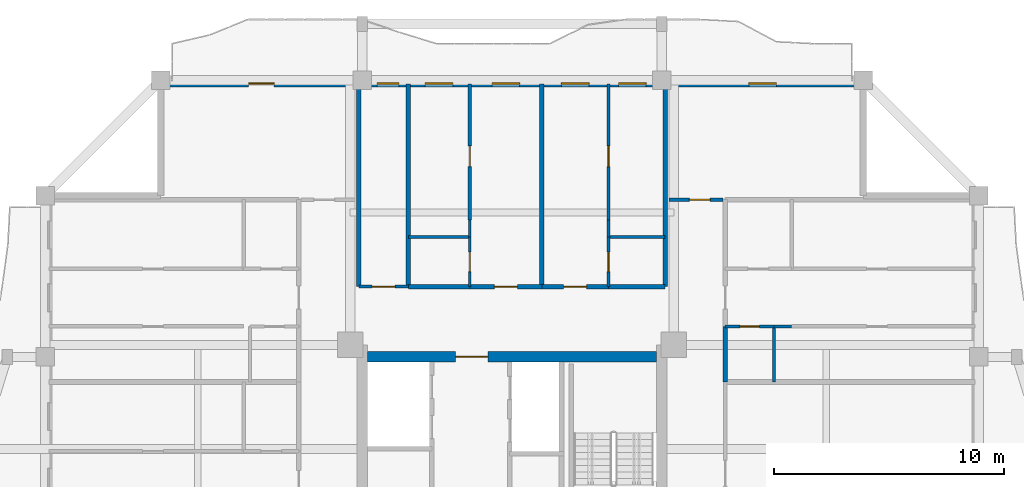
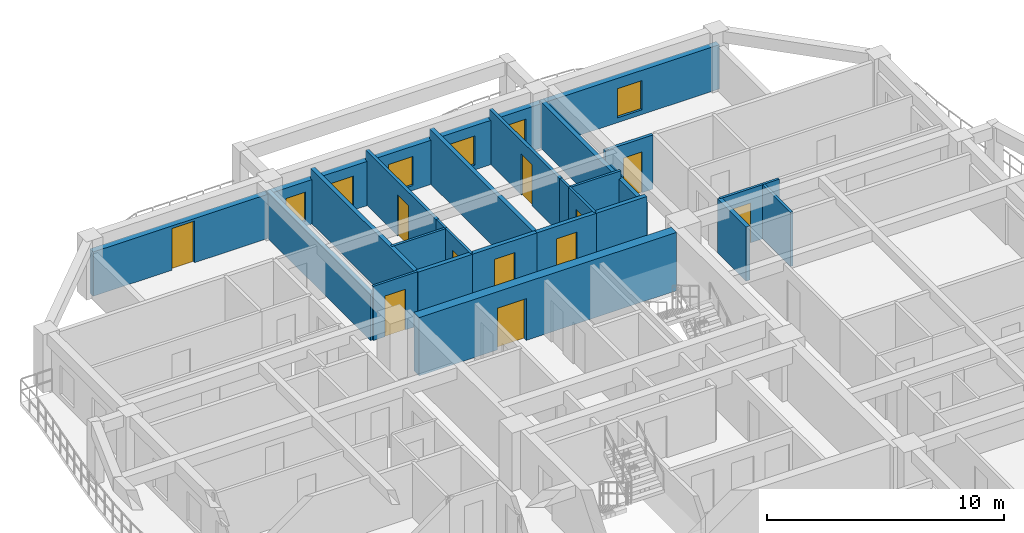
# One storey, part 6 of 13: 24 walls, 11 doors, 6 windows, 17 openings.
"""IFC4 building model written with IfcOpenShell, lengths in metres."""

from ifc_helpers import new_model, si_unit, direction, frame, frame_2d, origin, place, context, subcontext, project, spatial, rectangle, extrude, source, transform, mapped, material, layer, layer_set, type_object, element, fill, save


model = new_model("IFC4")

# Units and contexts
model_context = context("Model", 3, precision=1e-05, world=origin(), true_north=direction((0.0, 1.0)))
body_context = subcontext(model_context, "Body", "Model", "MODEL_VIEW")
ifc_project = project(units=[si_unit("LENGTHUNIT", "METRE"), si_unit("AREAUNIT", "SQUARE_METRE"), si_unit("VOLUMEUNIT", "CUBIC_METRE"), si_unit("PLANEANGLEUNIT", "RADIAN"), si_unit("MASSUNIT", "GRAM", prefix="KILO")], contexts=[model_context])

# Site, building, storey
site_placement = place(None, origin())
site = spatial("IfcSite", under=ifc_project, at=site_placement, CompositionType="ELEMENT")
building_placement = place(site_placement, origin())
building = spatial("IfcBuilding", under=site, at=building_placement, Name="Saelheon Loggia Tower", CompositionType="ELEMENT")
storey_placement = place(building_placement, frame((0.0, 0.0, 189.699951171875)))
storey = spatial("IfcBuildingStorey", under=building, at=storey_placement, Name="L59", CompositionType="ELEMENT", Elevation=189.699951171875)

# Wall, opening, door
ifc_material_1 = material(Name="Concrete C45/55", Category="concrete")
ifc_layer_1 = layer(ifc_material_1, 0.449951171875)
ifc_layer_set_1 = layer_set([ifc_layer_1], Name="Concrete C45/55")
wall_type_1 = type_object("IfcWallType", Name="Wall_CoreShear_450", PredefinedType="SHEAR", material=ifc_layer_set_1)
wall_1_placement = place(storey_placement, frame((31.72509765625, 36.0, 0.0), z_axis=(0.0, 0.0, 1.0), x_axis=(1.0, 0.0, 0.0)))
wall_1 = element("IfcWall", 1, at=wall_1_placement, inside=storey, type_object=wall_type_1, Name="L59 Core Shear Wall North", PredefinedType="SHEAR", context=body_context, shape_type="SweptSolid", body=[
    extrude(rectangle(XDim=12.5498046875, YDim=0.449951171875, at=frame_2d((6.27490234375, 0.0))), origin(), (0.0, 0.0, 1.0), 3.0),
])
opening_1_placement = place(wall_1_placement, frame((5.224853515625, 0.0, 0.0), z_axis=(0.0, 0.0, 1.0), x_axis=(-1.0, 0.0, 0.0)))
opening_1 = element("IfcOpeningElement", 2, at=opening_1_placement, cuts=wall_1, Name="Opening D-FD2L", PredefinedType="OPENING", context=body_context, shape_type="SweptSolid", body=[
    extrude(rectangle(XDim=1.39990234375, YDim=2.14990234375, at=frame_2d((0.699951171875, 1.074951171875))), frame((0.0, 0.237060546875, 0.0), z_axis=(0.0, -1.0, 0.0), x_axis=(1.0, 0.0, 0.0)), (0.0, 0.0, 1.0), 0.473876953125),
])
ifc_material_2 = material(Name="Galvanised Steel Glazed Lobby Fire Door", Category="steel")
door_type_1 = type_object("IfcDoorType", Name="Door_Fire_FD60_1400", OperationType="NOTDEFINED", PredefinedType="DOOR", material=ifc_material_2)
shared_shape_1 = source(origin(), body_context, "Body", "SweptSolid", [
    extrude(rectangle(XDim=1.39990234375, YDim=2.14990234375, at=frame_2d((0.699951171875, 1.074951171875))), frame((0.0, 0.02490234375, 0.0), z_axis=(0.0, -1.0, 0.0), x_axis=(1.0, 0.0, 0.0)), (0.0, 0.0, 1.0), 0.050048828125),
])
door_1_placement = place(opening_1_placement, origin())
door_1 = element("IfcDoor", 3, at=door_1_placement, inside=storey, type_object=door_type_1, Name="L59 Passenger Lift Lobby Main Door", OperationType="SINGLE_SWING_RIGHT", OverallHeight=2.14990234375, OverallWidth=1.39990234375, PredefinedType="DOOR", context=body_context, shape_type="MappedRepresentation", body=[
    mapped(shared_shape_1, transform((0.0, 0.0, 0.0), scale=1.0)),
])
fill(opening_1, door_1)

# Wall, openings, windows, door
ifc_material_3 = material(Name="Architectural Precast Concrete C40/50", Category="concrete")
ifc_layer_2 = layer(ifc_material_3, 0.280029296875)
ifc_layer_set_2 = layer_set([ifc_layer_2], Name="Architectural Precast Concrete C40/50")
wall_type_2 = type_object("IfcWallType", Name="Wall_Ext_Loggia_280", PredefinedType="SOLIDWALL", material=ifc_layer_set_2)
wall_2_placement = place(storey_placement, frame((22.75, 47.860107421875, 0.0), z_axis=(0.0, 0.0, 1.0), x_axis=(1.0, 0.0, 0.0)))
wall_2 = element("IfcWall", 4, at=wall_2_placement, inside=storey, type_object=wall_type_2, Name="L59 North Loggia Inner Wall", PredefinedType="SOLIDWALL", context=body_context, shape_type="SweptSolid", body=[
    extrude(rectangle(XDim=30.5, YDim=0.280029296875, at=frame_2d((15.25, 0.0))), origin(), (0.0, 0.0, 1.0), 2.280029296875),
])
opening_2_placement = place(wall_2_placement, frame((3.824951171875, 0.0, 0.0)))
opening_2 = element("IfcOpeningElement", 5, at=opening_2_placement, cuts=wall_2, Name="Opening TD1", PredefinedType="OPENING", context=body_context, shape_type="SweptSolid", body=[
    extrude(rectangle(XDim=1.10009765625, YDim=2.14990234375, at=frame_2d((0.550048828125, 1.074951171875))), frame((0.0, 0.152099609375, 0.0), z_axis=(0.0, -1.0, 0.0), x_axis=(1.0, 0.0, 0.0)), (0.0, 0.0, 1.0), 0.303955078125),
])
opening_3_placement = place(wall_2_placement, frame((9.39501953125, 0.0, 0.25)))
opening_3 = element("IfcOpeningElement", 6, at=opening_3_placement, cuts=wall_2, Name="Opening WN-04", PredefinedType="OPENING", context=body_context, shape_type="SweptSolid", body=[
    extrude(rectangle(XDim=0.949951171875, YDim=1.5, at=frame_2d((0.47509765625, 0.75))), frame((0.0, 0.152099609375, 0.0), z_axis=(0.0, -1.0, 0.0), x_axis=(1.0, 0.0, 0.0)), (0.0, 0.0, 1.0), 0.303955078125),
])
opening_4_placement = place(wall_2_placement, frame((11.4833984375, 0.0, 0.25)))
opening_4 = element("IfcOpeningElement", 7, at=opening_4_placement, cuts=wall_2, Name="Opening WN-03", PredefinedType="OPENING", context=body_context, shape_type="SweptSolid", body=[
    extrude(rectangle(XDim=1.199951171875, YDim=1.5, at=frame_2d((0.60009765625, 0.75))), frame((0.0, 0.152099609375, 0.0), z_axis=(0.0, -1.0, 0.0), x_axis=(1.0, 0.0, 0.0)), (0.0, 0.0, 1.0), 0.303955078125),
])
opening_5_placement = place(wall_2_placement, frame((14.382568359375, 0.0, 0.25)))
opening_5 = element("IfcOpeningElement", 8, at=opening_5_placement, cuts=wall_2, Name="Opening WN-03", PredefinedType="OPENING", context=body_context, shape_type="SweptSolid", body=[
    extrude(rectangle(XDim=1.199951171875, YDim=1.5, at=frame_2d((0.60009765625, 0.75))), frame((0.0, 0.152099609375, 0.0), z_axis=(0.0, -1.0, 0.0), x_axis=(1.0, 0.0, 0.0)), (0.0, 0.0, 1.0), 0.303955078125),
])
opening_6_placement = place(wall_2_placement, frame((17.39306640625, 0.0, 0.25)))
opening_6 = element("IfcOpeningElement", 9, at=opening_6_placement, cuts=wall_2, Name="Opening WN-03", PredefinedType="OPENING", context=body_context, shape_type="SweptSolid", body=[
    extrude(rectangle(XDim=1.199951171875, YDim=1.5, at=frame_2d((0.60009765625, 0.75))), frame((0.0, 0.152099609375, 0.0), z_axis=(0.0, -1.0, 0.0), x_axis=(1.0, 0.0, 0.0)), (0.0, 0.0, 1.0), 0.303955078125),
])
opening_7_placement = place(wall_2_placement, frame((19.8740234375, 0.0, 0.25)))
opening_7 = element("IfcOpeningElement", 10, at=opening_7_placement, cuts=wall_2, Name="Opening WN-03", PredefinedType="OPENING", context=body_context, shape_type="SweptSolid", body=[
    extrude(rectangle(XDim=1.199951171875, YDim=1.5, at=frame_2d((0.60009765625, 0.75))), frame((0.0, 0.152099609375, 0.0), z_axis=(0.0, -1.0, 0.0), x_axis=(1.0, 0.0, 0.0)), (0.0, 0.0, 1.0), 0.303955078125),
])
opening_8_placement = place(wall_2_placement, frame((25.52490234375, 0.0, 0.25)))
opening_8 = element("IfcOpeningElement", 11, at=opening_8_placement, cuts=wall_2, Name="Opening WN-03", PredefinedType="OPENING", context=body_context, shape_type="SweptSolid", body=[
    extrude(rectangle(XDim=1.199951171875, YDim=1.5, at=frame_2d((0.60009765625, 0.75))), frame((0.0, 0.152099609375, 0.0), z_axis=(0.0, -1.0, 0.0), x_axis=(1.0, 0.0, 0.0)), (0.0, 0.0, 1.0), 0.303955078125),
])
ifc_material_4 = material(Name="Thermal-Break Aluminium and Triple Low-E Glass", Category="aluminium")
window_type_1 = type_object("IfcWindowType", Name="Win_Bedroom_1200x1500", PartitioningType="SINGLE_PANEL", PredefinedType="WINDOW", material=ifc_material_4)
shared_shape_2 = source(origin(), body_context, "Body", "SweptSolid", [
    extrude(rectangle(XDim=1.199951171875, YDim=1.5, at=frame_2d((0.60009765625, 0.75))), frame((0.0, 0.030029296875, 0.0), z_axis=(0.0, -1.0, 0.0), x_axis=(1.0, 0.0, 0.0)), (0.0, 0.0, 1.0), 0.06005859375),
])
window_1_placement = place(opening_4_placement, origin())
window_1 = element("IfcWindow", 12, at=window_1_placement, inside=storey, type_object=window_type_1, Name="L59 N Dwelling Window 3", OverallHeight=1.5, OverallWidth=1.199951171875, PartitioningType="SINGLE_PANEL", PredefinedType="WINDOW", context=body_context, shape_type="MappedRepresentation", body=[
    mapped(shared_shape_2, transform((0.0, 0.0, 0.0), scale=1.0)),
])
fill(opening_4, window_1)
window_2_placement = place(opening_5_placement, origin())
window_2 = element("IfcWindow", 13, at=window_2_placement, inside=storey, type_object=window_type_1, Name="L59 N Dwelling Window 4", OverallHeight=1.5, OverallWidth=1.199951171875, PartitioningType="SINGLE_PANEL", PredefinedType="WINDOW", context=body_context, shape_type="MappedRepresentation", body=[
    mapped(shared_shape_2, transform((0.0, 0.0, 0.0), scale=1.0)),
])
fill(opening_5, window_2)
window_3_placement = place(opening_6_placement, origin())
window_3 = element("IfcWindow", 14, at=window_3_placement, inside=storey, type_object=window_type_1, Name="L59 N Dwelling Window 5", OverallHeight=1.5, OverallWidth=1.199951171875, PartitioningType="SINGLE_PANEL", PredefinedType="WINDOW", context=body_context, shape_type="MappedRepresentation", body=[
    mapped(shared_shape_2, transform((0.0, 0.0, 0.0), scale=1.0)),
])
fill(opening_6, window_3)
window_4_placement = place(opening_7_placement, origin())
window_4 = element("IfcWindow", 15, at=window_4_placement, inside=storey, type_object=window_type_1, Name="L59 N Dwelling Window 6", OverallHeight=1.5, OverallWidth=1.199951171875, PartitioningType="SINGLE_PANEL", PredefinedType="WINDOW", context=body_context, shape_type="MappedRepresentation", body=[
    mapped(shared_shape_2, transform((0.0, 0.0, 0.0), scale=1.0)),
])
fill(opening_7, window_4)
window_5_placement = place(opening_8_placement, origin())
window_5 = element("IfcWindow", 16, at=window_5_placement, inside=storey, type_object=window_type_1, Name="L59 N Dwelling Window 7", OverallHeight=1.5, OverallWidth=1.199951171875, PartitioningType="SINGLE_PANEL", PredefinedType="WINDOW", context=body_context, shape_type="MappedRepresentation", body=[
    mapped(shared_shape_2, transform((0.0, 0.0, 0.0), scale=1.0)),
])
fill(opening_8, window_5)
ifc_material_5 = material(Name="Thermal-Break Aluminium Glazed Door", Category="aluminium")
door_type_2 = type_object("IfcDoorType", Name="Door_Terrace_TD1", OperationType="NOTDEFINED", PredefinedType="DOOR", material=ifc_material_5)
shared_shape_3 = source(origin(), body_context, "Body", "SweptSolid", [
    extrude(rectangle(XDim=1.10009765625, YDim=2.14990234375, at=frame_2d((0.550048828125, 1.074951171875))), frame((0.0, 0.02490234375, 0.0), z_axis=(0.0, -1.0, 0.0), x_axis=(1.0, 0.0, 0.0)), (0.0, 0.0, 1.0), 0.050048828125),
])
door_2_placement = place(opening_2_placement, origin())
door_2 = element("IfcDoor", 17, at=door_2_placement, inside=storey, type_object=door_type_2, Name="L59 N Loggia Access Door", OperationType="SINGLE_SWING_LEFT", OverallHeight=2.14990234375, OverallWidth=1.10009765625, PredefinedType="DOOR", context=body_context, shape_type="MappedRepresentation", body=[
    mapped(shared_shape_3, transform((0.0, 0.0, 0.0), scale=1.0)),
])
fill(opening_2, door_2)
window_type_2 = type_object("IfcWindowType", Name="Win_Narrow_950x1500", PartitioningType="SINGLE_PANEL", PredefinedType="WINDOW", material=ifc_material_4)
shared_shape_4 = source(origin(), body_context, "Body", "SweptSolid", [
    extrude(rectangle(XDim=0.949951171875, YDim=1.5, at=frame_2d((0.47509765625, 0.75))), frame((0.0, 0.030029296875, 0.0), z_axis=(0.0, -1.0, 0.0), x_axis=(1.0, 0.0, 0.0)), (0.0, 0.0, 1.0), 0.06005859375),
])
window_6_placement = place(opening_3_placement, origin())
window_6 = element("IfcWindow", 18, at=window_6_placement, inside=storey, type_object=window_type_2, Name="L59 N Dwelling Window 2", OverallHeight=1.5, OverallWidth=0.949951171875, PartitioningType="SINGLE_PANEL", PredefinedType="WINDOW", context=body_context, shape_type="MappedRepresentation", body=[
    mapped(shared_shape_4, transform((0.0, 0.0, 0.0), scale=1.0)),
])
fill(opening_3, window_6)

# Wall, opening, door
ifc_material_6 = material(Name="Lightweight Autoclaved Aerated Concrete Block and Acoustic Gypsum", Category="concrete")
ifc_layer_3 = layer(ifc_material_6, 0.14990234375)
ifc_layer_set_3 = layer_set([ifc_layer_3], Name="Lightweight Autoclaved Aerated Concrete Block and Acoustic Gypsum")
wall_type_3 = type_object("IfcWallType", Name="Wall_Part_150", PredefinedType="PARTITIONING", material=ifc_layer_set_3)
wall_3_placement = place(storey_placement, frame((44.820068359375, 42.820068359375, 0.0), z_axis=(0.0, 0.0, 1.0), x_axis=(1.0, 0.0, 0.0)))
wall_3 = element("IfcWall", 19, at=wall_3_placement, inside=storey, type_object=wall_type_3, Name="PW-L59-CNE-H", PredefinedType="PARTITIONING", context=body_context, shape_type="SweptSolid", body=[
    extrude(rectangle(XDim=2.329833984375, YDim=0.14990234375, at=frame_2d((1.1650390625, 0.0))), origin(), (0.0, 0.0, 1.0), 2.7900390625),
])
opening_9_placement = place(wall_3_placement, frame((0.8798828125, 0.0, 0.0)))
opening_9 = element("IfcOpeningElement", 20, at=opening_9_placement, cuts=wall_3, Name="Opening D-IN2", PredefinedType="OPENING", context=body_context, shape_type="SweptSolid", body=[
    extrude(rectangle(XDim=0.89990234375, YDim=2.10009765625, at=frame_2d((0.449951171875, 1.050048828125))), frame((0.0, 0.0869140625, 0.0), z_axis=(0.0, -1.0, 0.0), x_axis=(1.0, 0.0, 0.0)), (0.0, 0.0, 1.0), 0.173828125),
])
ifc_material_7 = material(Name="Engineered Oak Flush Door", Category="timber")
door_type_3 = type_object("IfcDoorType", Name="Door_Int_900", OperationType="NOTDEFINED", PredefinedType="DOOR", material=ifc_material_7)
shared_shape_5 = source(origin(), body_context, "Body", "SweptSolid", [
    extrude(rectangle(XDim=0.89990234375, YDim=2.10009765625, at=frame_2d((0.449951171875, 1.050048828125))), frame((0.0, 0.02490234375, 0.0), z_axis=(0.0, -1.0, 0.0), x_axis=(1.0, 0.0, 0.0)), (0.0, 0.0, 1.0), 0.050048828125),
])
door_3_placement = place(opening_9_placement, origin())
door_3 = element("IfcDoor", 21, at=door_3_placement, inside=storey, type_object=door_type_3, Name="L59 Corner Reading Room NE Door", OperationType="SINGLE_SWING_RIGHT", OverallHeight=2.10009765625, OverallWidth=0.89990234375, PredefinedType="DOOR", context=body_context, shape_type="MappedRepresentation", body=[
    mapped(shared_shape_5, transform((0.0, 0.0, 0.0), scale=1.0)),
])
fill(opening_9, door_3)

wall_4_placement = place(storey_placement, frame((36.1669921875, 41.929931640625, 0.0), z_axis=(0.0, 0.0, 1.0), x_axis=(0.0, 1.0, 0.0)))
wall_4 = element("IfcWall", 22, at=wall_4_placement, inside=storey, type_object=wall_type_3, Name="L59 N Partition U10", PredefinedType="PARTITIONING", context=body_context, shape_type="SweptSolid", body=[
    extrude(rectangle(XDim=5.920166015625, YDim=0.14990234375, at=frame_2d((2.9599609375, 0.0))), origin(), (0.0, 0.0, 1.0), 2.7900390625),
])
opening_10_placement = place(wall_4_placement, frame((2.32080078125, 0.0, 0.0)))
opening_10 = element("IfcOpeningElement", 23, at=opening_10_placement, cuts=wall_4, Name="Opening D-IN2", PredefinedType="OPENING", context=body_context, shape_type="SweptSolid", body=[
    extrude(rectangle(XDim=0.89990234375, YDim=2.10009765625, at=frame_2d((0.449951171875, 1.050048828125))), frame((0.0, 0.0869140625, 0.0), z_axis=(0.0, -1.0, 0.0), x_axis=(1.0, 0.0, 0.0)), (0.0, 0.0, 1.0), 0.173828125),
])
door_4_placement = place(opening_10_placement, origin())
door_4 = element("IfcDoor", 24, at=door_4_placement, inside=storey, type_object=door_type_3, Name="Unit U02 Kitchen Door", OperationType="SINGLE_SWING_RIGHT", OverallHeight=2.10009765625, OverallWidth=0.89990234375, PredefinedType="DOOR", context=body_context, shape_type="MappedRepresentation", body=[
    mapped(shared_shape_5, transform((0.0, 0.0, 0.0), scale=1.0)),
])
fill(opening_10, door_4)

wall_5_placement = place(storey_placement, frame((42.18798828125, 41.929931640625, 0.0), z_axis=(0.0, 0.0, 1.0), x_axis=(0.0, 1.0, 0.0)))
wall_5 = element("IfcWall", 25, at=wall_5_placement, inside=storey, type_object=wall_type_3, Name="L59 N Partition U17", PredefinedType="PARTITIONING", context=body_context, shape_type="SweptSolid", body=[
    extrude(rectangle(XDim=5.920166015625, YDim=0.14990234375, at=frame_2d((2.9599609375, 0.0))), origin(), (0.0, 0.0, 1.0), 2.7900390625),
])
opening_11_placement = place(wall_5_placement, frame((2.32080078125, 0.0, 0.0)))
opening_11 = element("IfcOpeningElement", 26, at=opening_11_placement, cuts=wall_5, Name="Opening D-IN2", PredefinedType="OPENING", context=body_context, shape_type="SweptSolid", body=[
    extrude(rectangle(XDim=0.89990234375, YDim=2.10009765625, at=frame_2d((0.449951171875, 1.050048828125))), frame((0.0, 0.0869140625, 0.0), z_axis=(0.0, -1.0, 0.0), x_axis=(1.0, 0.0, 0.0)), (0.0, 0.0, 1.0), 0.173828125),
])
door_5_placement = place(opening_11_placement, origin())
door_5 = element("IfcDoor", 27, at=door_5_placement, inside=storey, type_object=door_type_3, Name="Unit U03 Kitchen Door", OperationType="SINGLE_SWING_LEFT", OverallHeight=2.10009765625, OverallWidth=0.89990234375, PredefinedType="DOOR", context=body_context, shape_type="MappedRepresentation", body=[
    mapped(shared_shape_5, transform((0.0, 0.0, 0.0), scale=1.0)),
])
fill(opening_11, door_5)

# Walls
ifc_material_8 = material(Name="Double Acoustic Stud and Fireboard Partition", Category="gypsum")
ifc_layer_4 = layer(ifc_material_8, 0.199951171875)
ifc_layer_set_4 = layer_set([ifc_layer_4], Name="Double Acoustic Stud and Fireboard Partition")
wall_type_4 = type_object("IfcWallType", Name="Wall_Party_200", PredefinedType="PARTITIONING", material=ifc_layer_set_4)
for number, where, z_axis, x_axis, name in (
    (28, (31.35009765625, 39.050048828125, 0.0), (0.0, 0.0, 1.0), (0.0, 1.0, 0.0), "L59 N Partition U01"),
    (29, (44.64990234375, 39.050048828125, 0.0), (0.0, 0.0, 1.0), (0.0, 1.0, 0.0), "L59 N Partition U02"),
):
    element("IfcWall", number, at=place(storey_placement, frame(where, z_axis=z_axis, x_axis=x_axis)), inside=storey, type_object=wall_type_4, Name=name, PredefinedType="PARTITIONING", context=body_context, shape_type="SweptSolid", body=[
        extrude(rectangle(XDim=8.800048828125, YDim=0.199951171875, at=frame_2d((4.39990234375, 0.0))), origin(), (0.0, 0.0, 1.0), 2.39013671875),
    ])
wall_6_placement = place(storey_placement, frame((33.5, 39.050048828125, 0.0), z_axis=(0.0, 0.0, 1.0), x_axis=(0.0, 1.0, 0.0)))
element("IfcWall", 30, at=wall_6_placement, inside=storey, type_object=wall_type_4, Name="L59 N Partition U03", PredefinedType="PARTITIONING", context=body_context, shape_type="SweptSolid", body=[
    extrude(rectangle(XDim=8.800048828125, YDim=0.199951171875, at=frame_2d((4.39990234375, 0.0))), origin(), (0.0, 0.0, 1.0), 2.7900390625),
])
wall_7_placement = place(storey_placement, frame((33.5, 39.050048828125, 0.0), z_axis=(0.0, 0.0, 1.0), x_axis=(1.0, 0.0, 0.0)))
element("IfcWall", 31, at=wall_7_placement, inside=storey, type_object=wall_type_4, Name="L59 N Partition V05", PredefinedType="PARTITIONING", context=body_context, shape_type="SweptSolid", body=[
    extrude(rectangle(XDim=2.6669921875, YDim=0.199951171875, at=frame_2d((1.33349609375, 0.0))), origin(), (0.0, 0.0, 1.0), 2.7900390625),
])

# Wall, opening, door
wall_8_placement = place(storey_placement, frame((36.1669921875, 39.050048828125, 0.0), z_axis=(0.0, 0.0, 1.0), x_axis=(1.0, 0.0, 0.0)))
wall_8 = element("IfcWall", 32, at=wall_8_placement, inside=storey, type_object=wall_type_4, Name="L59 N Partition V06", PredefinedType="PARTITIONING", context=body_context, shape_type="SweptSolid", body=[
    extrude(rectangle(XDim=3.131103515625, YDim=0.199951171875, at=frame_2d((1.5654296875, 0.0))), origin(), (0.0, 0.0, 1.0), 2.7900390625),
])
opening_12_placement = place(wall_8_placement, frame((1.0654296875, 0.0, 0.0)))
opening_12 = element("IfcOpeningElement", 33, at=opening_12_placement, cuts=wall_8, Name="Opening D-FD1", PredefinedType="OPENING", context=body_context, shape_type="SweptSolid", body=[
    extrude(rectangle(XDim=1.0, YDim=2.14990234375, at=frame_2d((0.5, 1.074951171875))), frame((0.0, 0.112060546875, 0.0), z_axis=(0.0, -1.0, 0.0), x_axis=(1.0, 0.0, 0.0)), (0.0, 0.0, 1.0), 0.223876953125),
])
ifc_material_9 = material(Name="Fire-Rated Engineered Timber Entrance Door", Category="wood")
door_type_4 = type_object("IfcDoorType", Name="Door_Flat_FD30S", OperationType="NOTDEFINED", PredefinedType="DOOR", material=ifc_material_9)
shared_shape_6 = source(origin(), body_context, "Body", "SweptSolid", [
    extrude(rectangle(XDim=1.0, YDim=2.14990234375, at=frame_2d((0.5, 1.074951171875))), frame((0.0, 0.02490234375, 0.0), z_axis=(0.0, -1.0, 0.0), x_axis=(1.0, 0.0, 0.0)), (0.0, 0.0, 1.0), 0.050048828125),
])
door_6_placement = place(opening_12_placement, origin())
door_6 = element("IfcDoor", 34, at=door_6_placement, inside=storey, type_object=door_type_4, Name="Unit U02 Entrance Door", OperationType="SINGLE_SWING_RIGHT", OverallHeight=2.14990234375, OverallWidth=1.0, PredefinedType="DOOR", context=body_context, shape_type="MappedRepresentation", body=[
    mapped(shared_shape_6, transform((0.0, 0.0, 0.0), scale=1.0)),
])
fill(opening_12, door_6)

# Wall
wall_9_placement = place(storey_placement, frame((39.298095703125, 39.050048828125, 0.0), z_axis=(0.0, 0.0, 1.0), x_axis=(0.0, 1.0, 0.0)))
element("IfcWall", 35, at=wall_9_placement, inside=storey, type_object=wall_type_4, Name="L59 N Partition U11", PredefinedType="PARTITIONING", context=body_context, shape_type="SweptSolid", body=[
    extrude(rectangle(XDim=8.800048828125, YDim=0.199951171875, at=frame_2d((4.39990234375, 0.0))), origin(), (0.0, 0.0, 1.0), 2.7900390625),
])

# Wall, opening, door
wall_10_placement = place(storey_placement, frame((39.298095703125, 39.050048828125, 0.0), z_axis=(0.0, 0.0, 1.0), x_axis=(1.0, 0.0, 0.0)))
wall_10 = element("IfcWall", 36, at=wall_10_placement, inside=storey, type_object=wall_type_4, Name="L59 N Partition V12", PredefinedType="PARTITIONING", context=body_context, shape_type="SweptSolid", body=[
    extrude(rectangle(XDim=2.889892578125, YDim=0.199951171875, at=frame_2d((1.44482421875, 0.0))), origin(), (0.0, 0.0, 1.0), 2.7900390625),
])
opening_13_placement = place(wall_10_placement, frame((0.945068359375, 0.0, 0.0)))
opening_13 = element("IfcOpeningElement", 37, at=opening_13_placement, cuts=wall_10, Name="Opening D-FD1", PredefinedType="OPENING", context=body_context, shape_type="SweptSolid", body=[
    extrude(rectangle(XDim=1.0, YDim=2.14990234375, at=frame_2d((0.5, 1.074951171875))), frame((0.0, 0.112060546875, 0.0), z_axis=(0.0, -1.0, 0.0), x_axis=(1.0, 0.0, 0.0)), (0.0, 0.0, 1.0), 0.223876953125),
])
door_7_placement = place(opening_13_placement, origin())
door_7 = element("IfcDoor", 38, at=door_7_placement, inside=storey, type_object=door_type_4, Name="Unit U03 Entrance Door", OperationType="SINGLE_SWING_LEFT", OverallHeight=2.14990234375, OverallWidth=1.0, PredefinedType="DOOR", context=body_context, shape_type="MappedRepresentation", body=[
    mapped(shared_shape_6, transform((0.0, 0.0, 0.0), scale=1.0)),
])
fill(opening_13, door_7)

# Walls
wall_11_placement = place(storey_placement, frame((42.18798828125, 39.050048828125, 0.0), z_axis=(0.0, 0.0, 1.0), x_axis=(1.0, 0.0, 0.0)))
element("IfcWall", 39, at=wall_11_placement, inside=storey, type_object=wall_type_4, Name="L59 N Partition V13", PredefinedType="PARTITIONING", context=body_context, shape_type="SweptSolid", body=[
    extrude(rectangle(XDim=2.4619140625, YDim=0.199951171875, at=frame_2d((1.23095703125, 0.0))), origin(), (0.0, 0.0, 1.0), 2.7900390625),
])
wall_12_placement = place(storey_placement, frame((47.25, 34.909912109375, 0.0), z_axis=(0.0, 0.0, 1.0), x_axis=(0.0, 1.0, 0.0)))
element("IfcWall", 40, at=wall_12_placement, inside=storey, type_object=wall_type_4, Name="L59 E Partition V18", PredefinedType="PARTITIONING", context=body_context, shape_type="SweptSolid", body=[
    extrude(rectangle(XDim=2.41015625, YDim=0.199951171875, at=frame_2d((1.205078125, 0.0))), origin(), (0.0, 0.0, 1.0), 2.7900390625),
])

# Wall, opening, door
ifc_material_10 = material(Name="Moisture-Resistant Cement Board Partition", Category="gypsum")
ifc_layer_5 = layer(ifc_material_10, 0.1201171875)
ifc_layer_set_5 = layer_set([ifc_layer_5], Name="Moisture-Resistant Cement Board Partition")
wall_type_5 = type_object("IfcWallType", Name="Wall_WetPart_120", PredefinedType="PARTITIONING", material=ifc_layer_set_5)
wall_13_placement = place(storey_placement, frame((31.35009765625, 39.050048828125, 0.0), z_axis=(0.0, 0.0, 1.0), x_axis=(1.0, 0.0, 0.0)))
wall_13 = element("IfcWall", 41, at=wall_13_placement, inside=storey, type_object=wall_type_5, Name="L59 N Partition V04", PredefinedType="PARTITIONING", context=body_context, shape_type="SweptSolid", body=[
    extrude(rectangle(XDim=2.14990234375, YDim=0.1201171875, at=frame_2d((1.074951171875, 0.0))), origin(), (0.0, 0.0, 1.0), 2.7900390625),
])
opening_14_placement = place(wall_13_placement, frame((0.574951171875, 0.0, 0.0)))
opening_14 = element("IfcOpeningElement", 42, at=opening_14_placement, cuts=wall_13, Name="Opening D-AC1", PredefinedType="OPENING", context=body_context, shape_type="SweptSolid", body=[
    extrude(rectangle(XDim=1.0, YDim=2.10009765625, at=frame_2d((0.5, 1.050048828125))), frame((0.0, 0.072021484375, 0.0), z_axis=(0.0, -1.0, 0.0), x_axis=(1.0, 0.0, 0.0)), (0.0, 0.0, 1.0), 0.14404296875),
])
ifc_material_11 = material(Name="Accessible Laminate Flush Door", Category="timber")
door_type_5 = type_object("IfcDoorType", Name="Door_Acc_1000", OperationType="NOTDEFINED", PredefinedType="DOOR", material=ifc_material_11)
shared_shape_7 = source(origin(), body_context, "Body", "SweptSolid", [
    extrude(rectangle(XDim=1.0, YDim=2.10009765625, at=frame_2d((0.5, 1.050048828125))), frame((0.0, 0.02490234375, 0.0), z_axis=(0.0, -1.0, 0.0), x_axis=(1.0, 0.0, 0.0)), (0.0, 0.0, 1.0), 0.050048828125),
])
door_8_placement = place(opening_14_placement, origin())
door_8 = element("IfcDoor", 43, at=door_8_placement, inside=storey, type_object=door_type_5, Name="L59 Floor Accessible WC Door", OperationType="SINGLE_SWING_LEFT", OverallHeight=2.10009765625, OverallWidth=1.0, PredefinedType="DOOR", context=body_context, shape_type="MappedRepresentation", body=[
    mapped(shared_shape_7, transform((0.0, 0.0, 0.0), scale=1.0)),
])
fill(opening_14, door_8)

wall_14_placement = place(storey_placement, frame((36.1669921875, 39.050048828125, 0.0), z_axis=(0.0, 0.0, 1.0), x_axis=(0.0, 1.0, 0.0)))
wall_14 = element("IfcWall", 44, at=wall_14_placement, inside=storey, type_object=wall_type_5, Name="L59 N Partition U07", PredefinedType="PARTITIONING", context=body_context, shape_type="SweptSolid", body=[
    extrude(rectangle(XDim=2.14990234375, YDim=0.1201171875, at=frame_2d((1.074951171875, 0.0))), origin(), (0.0, 0.0, 1.0), 2.7900390625),
])
opening_15_placement = place(wall_14_placement, frame((0.64990234375, 0.0, 0.0)))
opening_15 = element("IfcOpeningElement", 45, at=opening_15_placement, cuts=wall_14, Name="Opening D-BT1", PredefinedType="OPENING", context=body_context, shape_type="SweptSolid", body=[
    extrude(rectangle(XDim=0.85009765625, YDim=2.050048828125, at=frame_2d((0.425048828125, 1.02490234375))), frame((0.0, 0.072021484375, 0.0), z_axis=(0.0, -1.0, 0.0), x_axis=(1.0, 0.0, 0.0)), (0.0, 0.0, 1.0), 0.14404296875),
])
ifc_material_12 = material(Name="Moisture-Resistant Laminate Timber Door", Category="wood")
door_type_6 = type_object("IfcDoorType", Name="Door_Bath_850", OperationType="NOTDEFINED", PredefinedType="DOOR", material=ifc_material_12)
shared_shape_8 = source(origin(), body_context, "Body", "SweptSolid", [
    extrude(rectangle(XDim=0.85009765625, YDim=2.050048828125, at=frame_2d((0.425048828125, 1.02490234375))), frame((0.0, 0.02490234375, 0.0), z_axis=(0.0, -1.0, 0.0), x_axis=(1.0, 0.0, 0.0)), (0.0, 0.0, 1.0), 0.050048828125),
])
door_9_placement = place(opening_15_placement, origin())
door_9 = element("IfcDoor", 46, at=door_9_placement, inside=storey, type_object=door_type_6, Name="Unit U02 Bathroom Door", OperationType="SINGLE_SWING_LEFT", OverallHeight=2.050048828125, OverallWidth=0.85009765625, PredefinedType="DOOR", context=body_context, shape_type="MappedRepresentation", body=[
    mapped(shared_shape_8, transform((0.0, 0.0, 0.0), scale=1.0)),
])
fill(opening_15, door_9)

# Walls
wall_15_placement = place(storey_placement, frame((36.1669921875, 41.199951171875, 0.0), z_axis=(0.0, 0.0, 1.0), x_axis=(0.0, 1.0, 0.0)))
element("IfcWall", 47, at=wall_15_placement, inside=storey, type_object=wall_type_5, Name="L59 N Partition U08", PredefinedType="PARTITIONING", context=body_context, shape_type="SweptSolid", body=[
    extrude(rectangle(XDim=0.72998046875, YDim=0.1201171875, at=frame_2d((0.364990234375, 0.0))), origin(), (0.0, 0.0, 1.0), 2.7900390625),
])
wall_16_placement = place(storey_placement, frame((33.5, 41.199951171875, 0.0), z_axis=(0.0, 0.0, 1.0), x_axis=(1.0, 0.0, 0.0)))
element("IfcWall", 48, at=wall_16_placement, inside=storey, type_object=wall_type_5, Name="L59 N Partition V09", PredefinedType="PARTITIONING", context=body_context, shape_type="SweptSolid", body=[
    extrude(rectangle(XDim=2.6669921875, YDim=0.1201171875, at=frame_2d((1.33349609375, 0.0))), origin(), (0.0, 0.0, 1.0), 2.7900390625),
])

# Wall, opening, door
wall_17_placement = place(storey_placement, frame((42.18798828125, 39.050048828125, 0.0), z_axis=(0.0, 0.0, 1.0), x_axis=(0.0, 1.0, 0.0)))
wall_17 = element("IfcWall", 49, at=wall_17_placement, inside=storey, type_object=wall_type_5, Name="L59 N Partition U14", PredefinedType="PARTITIONING", context=body_context, shape_type="SweptSolid", body=[
    extrude(rectangle(XDim=2.14990234375, YDim=0.1201171875, at=frame_2d((1.074951171875, 0.0))), origin(), (0.0, 0.0, 1.0), 2.7900390625),
])
opening_16_placement = place(wall_17_placement, frame((0.64990234375, 0.0, 0.0)))
opening_16 = element("IfcOpeningElement", 50, at=opening_16_placement, cuts=wall_17, Name="Opening D-BT1", PredefinedType="OPENING", context=body_context, shape_type="SweptSolid", body=[
    extrude(rectangle(XDim=0.85009765625, YDim=2.050048828125, at=frame_2d((0.425048828125, 1.02490234375))), frame((0.0, 0.072021484375, 0.0), z_axis=(0.0, -1.0, 0.0), x_axis=(1.0, 0.0, 0.0)), (0.0, 0.0, 1.0), 0.14404296875),
])
door_10_placement = place(opening_16_placement, origin())
door_10 = element("IfcDoor", 51, at=door_10_placement, inside=storey, type_object=door_type_6, Name="Unit U03 Bathroom Door", OperationType="SINGLE_SWING_RIGHT", OverallHeight=2.050048828125, OverallWidth=0.85009765625, PredefinedType="DOOR", context=body_context, shape_type="MappedRepresentation", body=[
    mapped(shared_shape_8, transform((0.0, 0.0, 0.0), scale=1.0)),
])
fill(opening_16, door_10)

# Walls
wall_18_placement = place(storey_placement, frame((42.18798828125, 41.199951171875, 0.0), z_axis=(0.0, 0.0, 1.0), x_axis=(0.0, 1.0, 0.0)))
element("IfcWall", 52, at=wall_18_placement, inside=storey, type_object=wall_type_5, Name="L59 N Partition U15", PredefinedType="PARTITIONING", context=body_context, shape_type="SweptSolid", body=[
    extrude(rectangle(XDim=0.72998046875, YDim=0.1201171875, at=frame_2d((0.364990234375, 0.0))), origin(), (0.0, 0.0, 1.0), 2.7900390625),
])
wall_19_placement = place(storey_placement, frame((42.18798828125, 41.199951171875, 0.0), z_axis=(0.0, 0.0, 1.0), x_axis=(1.0, 0.0, 0.0)))
element("IfcWall", 53, at=wall_19_placement, inside=storey, type_object=wall_type_5, Name="L59 N Partition V16", PredefinedType="PARTITIONING", context=body_context, shape_type="SweptSolid", body=[
    extrude(rectangle(XDim=2.4619140625, YDim=0.1201171875, at=frame_2d((1.23095703125, 0.0))), origin(), (0.0, 0.0, 1.0), 2.7900390625),
])
wall_20_placement = place(storey_placement, frame((49.3701171875, 34.909912109375, 0.0), z_axis=(0.0, 0.0, 1.0), x_axis=(0.0, 1.0, 0.0)))
element("IfcWall", 54, at=wall_20_placement, inside=storey, type_object=wall_type_5, Name="L59 E Partition V21", PredefinedType="PARTITIONING", context=body_context, shape_type="SweptSolid", body=[
    extrude(rectangle(XDim=2.41015625, YDim=0.1201171875, at=frame_2d((1.205078125, 0.0))), origin(), (0.0, 0.0, 1.0), 2.7900390625),
])

# Wall, opening, door
wall_21_placement = place(storey_placement, frame((47.25, 37.320068359375, 0.0), z_axis=(0.0, 0.0, 1.0), x_axis=(1.0, 0.0, 0.0)))
wall_21 = element("IfcWall", 55, at=wall_21_placement, inside=storey, type_object=wall_type_5, Name="L59 E Partition U23", PredefinedType="PARTITIONING", context=body_context, shape_type="SweptSolid", body=[
    extrude(rectangle(XDim=2.1201171875, YDim=0.1201171875, at=frame_2d((1.06005859375, 0.0))), origin(), (0.0, 0.0, 1.0), 2.7900390625),
])
opening_17_placement = place(wall_21_placement, frame((0.635009765625, 0.0, 0.0)))
opening_17 = element("IfcOpeningElement", 56, at=opening_17_placement, cuts=wall_21, Name="Opening D-BT1", PredefinedType="OPENING", context=body_context, shape_type="SweptSolid", body=[
    extrude(rectangle(XDim=0.85009765625, YDim=2.050048828125, at=frame_2d((0.425048828125, 1.02490234375))), frame((0.0, 0.072021484375, 0.0), z_axis=(0.0, -1.0, 0.0), x_axis=(1.0, 0.0, 0.0)), (0.0, 0.0, 1.0), 0.14404296875),
])
door_11_placement = place(opening_17_placement, origin())
door_11 = element("IfcDoor", 57, at=door_11_placement, inside=storey, type_object=door_type_6, Name="Unit U09 Bathroom Door", OperationType="SINGLE_SWING_RIGHT", OverallHeight=2.050048828125, OverallWidth=0.85009765625, PredefinedType="DOOR", context=body_context, shape_type="MappedRepresentation", body=[
    mapped(shared_shape_8, transform((0.0, 0.0, 0.0), scale=1.0)),
])
fill(opening_17, door_11)

# Wall
wall_22_placement = place(storey_placement, frame((49.3701171875, 37.320068359375, 0.0), z_axis=(0.0, 0.0, 1.0), x_axis=(1.0, 0.0, 0.0)))
element("IfcWall", 58, at=wall_22_placement, inside=storey, type_object=wall_type_5, Name="L59 E Partition U24", PredefinedType="PARTITIONING", context=body_context, shape_type="SweptSolid", body=[
    extrude(rectangle(XDim=0.759765625, YDim=0.1201171875, at=frame_2d((0.3798828125, 0.0))), origin(), (0.0, 0.0, 1.0), 2.7900390625),
])

save(model, "model.ifc")
